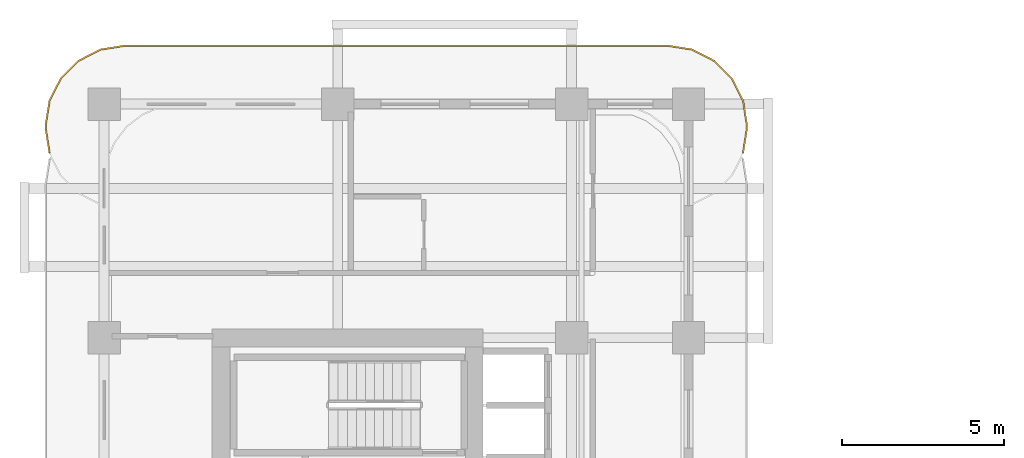
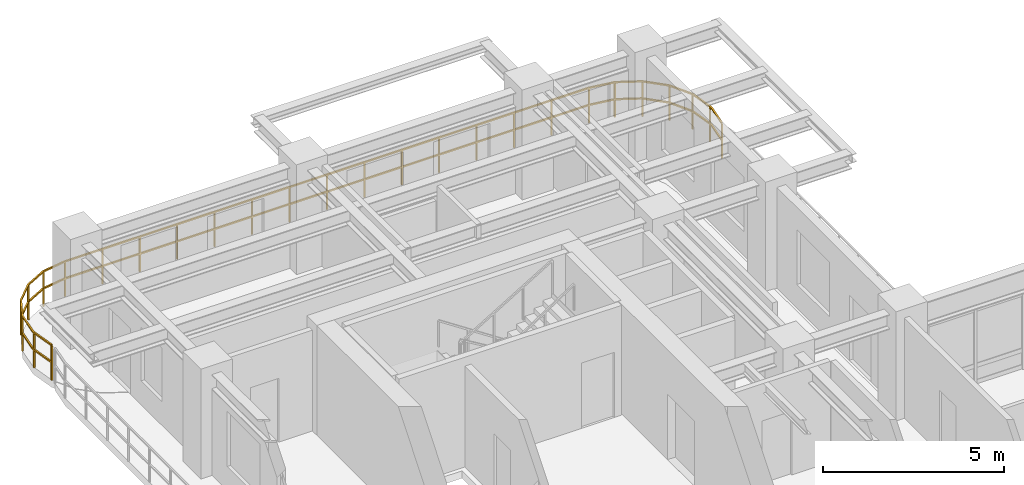
# One storey, part 21 of 21: 1 railing.
"""IFC4 building model written with IfcOpenShell, lengths in metres."""

from ifc_helpers import new_model, si_unit, derived_unit, direction, frame, origin, origin_2d, place, context, subcontext, project, spatial, rectangle, extrude, material, type_object, element, save


model = new_model("IFC4")

# Units and contexts
model_context = context("Model", 3, precision=1e-05, world=origin(), true_north=direction((0.0, 1.0)))
body_context = subcontext(model_context, "Body", "Model", "MODEL_VIEW")
ifc_project = project(units=[si_unit("LENGTHUNIT", "METRE"), si_unit("AREAUNIT", "SQUARE_METRE"), si_unit("VOLUMEUNIT", "CUBIC_METRE"), si_unit("PLANEANGLEUNIT", "RADIAN"), si_unit("MASSUNIT", "GRAM", prefix="KILO"), si_unit("THERMODYNAMICTEMPERATUREUNIT", "KELVIN"), si_unit("POWERUNIT", "WATT"), derived_unit("THERMALTRANSMITTANCEUNIT", [(si_unit("POWERUNIT", "WATT"), 1), (si_unit("AREAUNIT", "SQUARE_METRE"), -1), (si_unit("THERMODYNAMICTEMPERATUREUNIT", "KELVIN"), -1)])], contexts=[model_context])

# Site, building, storey
site_placement = place(None, origin())
site = spatial("IfcSite", under=ifc_project, at=site_placement, CompositionType="ELEMENT")
building_placement = place(site_placement, origin())
building = spatial("IfcBuilding", under=site, at=building_placement, Name="Zahravan Archway Hotel and Residences", CompositionType="ELEMENT")
storey_placement = place(building_placement, frame((0.0, 0.0, 141.39990234375)))
storey = spatial("IfcBuildingStorey", under=building, at=storey_placement, Name="L35", CompositionType="ELEMENT", Elevation=141.39990234375)

# Railing
ifc_material = material(Name="Bronze & Laminated Glass Balustrade", Category="glass")
railing_type = type_object("IfcRailingType", Name="RL-BAL-1200", PredefinedType="BALUSTRADE", material=ifc_material)
railing_placement = place(storey_placement, frame((-1.68017578125, 45.29296875, 0.0)))
element("IfcRailing", 1, at=railing_placement, inside=storey, type_object=railing_type, Name="L35 Balustrade RL-SLB-BAL-L35-NB-1", PredefinedType="BALUSTRADE", context=body_context, shape_type="SweptSolid", body=[
    extrude(rectangle(XDim=0.048095703125, YDim=0.048095703125, at=origin_2d()), frame((0.0, 0.0, 1.17578125), z_axis=(-0.156387811283, 0.987695728695, 0.0), x_axis=(-0.987695728695, -0.156387811283, 0.0)), (0.0, 0.0, 1.0), 0.7666015625),
    extrude(rectangle(XDim=0.048095703125, YDim=0.048095703125, at=origin_2d()), frame((0.0, 0.0, 0.60009765625), z_axis=(-0.156387811283, 0.987695728695, 0.0), x_axis=(-0.987695728695, -0.156387811283, 0.0)), (0.0, 0.0, 1.0), 0.7666015625),
    extrude(rectangle(XDim=0.048095703125, YDim=0.048095703125, at=origin_2d()), frame((-0.119873046875, 0.757080078125, 1.17578125), z_axis=(0.0, 1.0, 0.0), x_axis=(-1.0, 0.0, 0.0)), (0.0, 0.0, 1.0), 0.099853515625),
    extrude(rectangle(XDim=0.048095703125, YDim=0.048095703125, at=origin_2d()), frame((-0.119873046875, 0.757080078125, 0.60009765625), z_axis=(0.0, 1.0, 0.0), x_axis=(-1.0, 0.0, 0.0)), (0.0, 0.0, 1.0), 0.099853515625),
    extrude(rectangle(XDim=0.048095703125, YDim=0.048095703125, at=origin_2d()), frame((-0.119873046875, 0.85693359375, 1.17578125), z_axis=(0.156387811283, 0.987695728695, 0.0), x_axis=(-0.987695728695, 0.156387811283, 0.0)), (0.0, 0.0, 1.0), 0.7666015625),
    extrude(rectangle(XDim=0.048095703125, YDim=0.048095703125, at=origin_2d()), frame((-0.119873046875, 0.85693359375, 0.60009765625), z_axis=(0.156387811283, 0.987695728695, 0.0), x_axis=(-0.987695728695, 0.156387811283, 0.0)), (0.0, 0.0, 1.0), 0.7666015625),
    extrude(rectangle(XDim=0.048095703125, YDim=0.048095703125, at=origin_2d()), frame((0.0, 1.614013671875, 1.17578125), z_axis=(0.454078418624, 0.890961721815, 0.0), x_axis=(-0.890961721815, 0.454078418624, 0.0)), (0.0, 0.0, 1.0), 0.7666015625),
    extrude(rectangle(XDim=0.048095703125, YDim=0.048095703125, at=origin_2d()), frame((0.0, 1.614013671875, 0.60009765625), z_axis=(0.454078418624, 0.890961721815, 0.0), x_axis=(-0.890961721815, 0.454078418624, 0.0)), (0.0, 0.0, 1.0), 0.7666015625),
    extrude(rectangle(XDim=0.048095703125, YDim=0.048095703125, at=origin_2d()), frame((0.34814453125, 2.297119140625, 1.17578125), z_axis=(0.707106781187, 0.707106781187, 0.0), x_axis=(-0.707106781187, 0.707106781187, 0.0)), (0.0, 0.0, 1.0), 0.7666015625),
    extrude(rectangle(XDim=0.048095703125, YDim=0.048095703125, at=origin_2d()), frame((0.34814453125, 2.297119140625, 0.60009765625), z_axis=(0.707106781187, 0.707106781187, 0.0), x_axis=(-0.707106781187, 0.707106781187, 0.0)), (0.0, 0.0, 1.0), 0.7666015625),
    extrude(rectangle(XDim=0.048095703125, YDim=0.048095703125, at=origin_2d()), frame((0.89013671875, 2.839111328125, 1.17578125), z_axis=(0.891024909783, 0.453954414172, 0.0), x_axis=(-0.453954414172, 0.891024909783, 0.0)), (0.0, 0.0, 1.0), 0.766357421875),
    extrude(rectangle(XDim=0.048095703125, YDim=0.048095703125, at=origin_2d()), frame((0.89013671875, 2.839111328125, 0.60009765625), z_axis=(0.891024909783, 0.453954414172, 0.0), x_axis=(-0.453954414172, 0.891024909783, 0.0)), (0.0, 0.0, 1.0), 0.766357421875),
    extrude(rectangle(XDim=0.048095703125, YDim=0.048095703125, at=origin_2d()), frame((1.572998046875, 3.18701171875, 1.17578125), z_axis=(0.987646484274, 0.156698507018, 0.0), x_axis=(-0.156698507018, 0.987646484274, 0.0)), (0.0, 0.0, 1.0), 0.7666015625),
    extrude(rectangle(XDim=0.048095703125, YDim=0.048095703125, at=origin_2d()), frame((1.572998046875, 3.18701171875, 0.60009765625), z_axis=(0.987646484274, 0.156698507018, 0.0), x_axis=(-0.156698507018, 0.987646484274, 0.0)), (0.0, 0.0, 1.0), 0.7666015625),
    extrude(rectangle(XDim=0.048095703125, YDim=0.048095703125, at=origin_2d()), frame((2.330078125, 3.30712890625, 1.17578125), z_axis=(1.0, 0.0, 0.0), x_axis=(0.0, 1.0, 0.0)), (0.0, 0.0, 1.0), 16.7001953125),
    extrude(rectangle(XDim=0.048095703125, YDim=0.048095703125, at=origin_2d()), frame((2.330078125, 3.30712890625, 0.60009765625), z_axis=(1.0, 0.0, 0.0), x_axis=(0.0, 1.0, 0.0)), (0.0, 0.0, 1.0), 16.7001953125),
    extrude(rectangle(XDim=0.048095703125, YDim=0.048095703125, at=origin_2d()), frame((19.0302734375, 3.30712890625, 1.17578125), z_axis=(0.987646484274, -0.156698507018, 0.0), x_axis=(0.156698507018, 0.987646484274, 0.0)), (0.0, 0.0, 1.0), 0.7666015625),
    extrude(rectangle(XDim=0.048095703125, YDim=0.048095703125, at=origin_2d()), frame((19.0302734375, 3.30712890625, 0.60009765625), z_axis=(0.987646484274, -0.156698507018, 0.0), x_axis=(0.156698507018, 0.987646484274, 0.0)), (0.0, 0.0, 1.0), 0.7666015625),
    extrude(rectangle(XDim=0.048095703125, YDim=0.048095703125, at=origin_2d()), frame((19.787353515625, 3.18701171875, 1.17578125), z_axis=(0.891024909783, -0.453954414172, 0.0), x_axis=(0.453954414172, 0.891024909783, 0.0)), (0.0, 0.0, 1.0), 0.766357421875),
    extrude(rectangle(XDim=0.048095703125, YDim=0.048095703125, at=origin_2d()), frame((19.787353515625, 3.18701171875, 0.60009765625), z_axis=(0.891024909783, -0.453954414172, 0.0), x_axis=(0.453954414172, 0.891024909783, 0.0)), (0.0, 0.0, 1.0), 0.766357421875),
    extrude(rectangle(XDim=0.048095703125, YDim=0.048095703125, at=origin_2d()), frame((20.47021484375, 2.839111328125, 1.17578125), z_axis=(0.707106781187, -0.707106781187, 0.0), x_axis=(0.707106781187, 0.707106781187, 0.0)), (0.0, 0.0, 1.0), 0.7666015625),
    extrude(rectangle(XDim=0.048095703125, YDim=0.048095703125, at=origin_2d()), frame((20.47021484375, 2.839111328125, 0.60009765625), z_axis=(0.707106781187, -0.707106781187, 0.0), x_axis=(0.707106781187, 0.707106781187, 0.0)), (0.0, 0.0, 1.0), 0.7666015625),
    extrude(rectangle(XDim=0.048095703125, YDim=0.048095703125, at=origin_2d()), frame((21.01220703125, 2.297119140625, 1.17578125), z_axis=(0.454078418624, -0.890961721815, 0.0), x_axis=(0.890961721815, 0.454078418624, 0.0)), (0.0, 0.0, 1.0), 0.7666015625),
    extrude(rectangle(XDim=0.048095703125, YDim=0.048095703125, at=origin_2d()), frame((21.01220703125, 2.297119140625, 0.60009765625), z_axis=(0.454078418624, -0.890961721815, 0.0), x_axis=(0.890961721815, 0.454078418624, 0.0)), (0.0, 0.0, 1.0), 0.7666015625),
    extrude(rectangle(XDim=0.048095703125, YDim=0.048095703125, at=origin_2d()), frame((21.3603515625, 1.614013671875, 1.17578125), z_axis=(0.156387811283, -0.987695728695, 0.0), x_axis=(0.987695728695, 0.156387811283, 0.0)), (0.0, 0.0, 1.0), 0.7666015625),
    extrude(rectangle(XDim=0.048095703125, YDim=0.048095703125, at=origin_2d()), frame((21.3603515625, 1.614013671875, 0.60009765625), z_axis=(0.156387811283, -0.987695728695, 0.0), x_axis=(0.987695728695, 0.156387811283, 0.0)), (0.0, 0.0, 1.0), 0.7666015625),
    extrude(rectangle(XDim=0.048095703125, YDim=0.048095703125, at=origin_2d()), frame((21.480224609375, 0.85693359375, 1.17578125), z_axis=(0.0, -1.0, 0.0), x_axis=(1.0, 0.0, 0.0)), (0.0, 0.0, 1.0), 0.099853515625),
    extrude(rectangle(XDim=0.048095703125, YDim=0.048095703125, at=origin_2d()), frame((21.480224609375, 0.85693359375, 0.60009765625), z_axis=(0.0, -1.0, 0.0), x_axis=(1.0, 0.0, 0.0)), (0.0, 0.0, 1.0), 0.099853515625),
    extrude(rectangle(XDim=0.048095703125, YDim=0.048095703125, at=origin_2d()), frame((21.480224609375, 0.757080078125, 1.17578125), z_axis=(-0.156387811283, -0.987695728695, 0.0), x_axis=(0.987695728695, -0.156387811283, 0.0)), (0.0, 0.0, 1.0), 0.7666015625),
    extrude(rectangle(XDim=0.048095703125, YDim=0.048095703125, at=origin_2d()), frame((21.480224609375, 0.757080078125, 0.60009765625), z_axis=(-0.156387811283, -0.987695728695, 0.0), x_axis=(0.987695728695, -0.156387811283, 0.0)), (0.0, 0.0, 1.0), 0.7666015625),
    extrude(rectangle(XDim=0.0419921875, YDim=0.0419921875, at=origin_2d()), origin(), (0.0, 0.0, 1.0), 1.15185546875),
    extrude(rectangle(XDim=0.0419921875, YDim=0.0419921875, at=origin_2d()), frame((-0.119873046875, 0.757080078125, 0.0)), (0.0, 0.0, 1.0), 1.15185546875),
    extrude(rectangle(XDim=0.0419921875, YDim=0.0419921875, at=origin_2d()), frame((0.0, 1.614013671875, 0.0)), (0.0, 0.0, 1.0), 1.15185546875),
    extrude(rectangle(XDim=0.0419921875, YDim=0.0419921875, at=origin_2d()), frame((0.34814453125, 2.297119140625, 0.0)), (0.0, 0.0, 1.0), 1.15185546875),
    extrude(rectangle(XDim=0.0419921875, YDim=0.0419921875, at=origin_2d()), frame((0.89013671875, 2.839111328125, 0.0)), (0.0, 0.0, 1.0), 1.15185546875),
    extrude(rectangle(XDim=0.0419921875, YDim=0.0419921875, at=origin_2d()), frame((1.572998046875, 3.18701171875, 0.0)), (0.0, 0.0, 1.0), 1.15185546875),
    extrude(rectangle(XDim=0.0419921875, YDim=0.0419921875, at=origin_2d()), frame((2.330078125, 3.30712890625, 0.0)), (0.0, 0.0, 1.0), 1.15185546875),
    extrude(rectangle(XDim=0.0419921875, YDim=0.0419921875, at=origin_2d()), frame((3.52294921875, 3.30712890625, 0.0)), (0.0, 0.0, 1.0), 1.15185546875),
    extrude(rectangle(XDim=0.0419921875, YDim=0.0419921875, at=origin_2d()), frame((4.7158203125, 3.30712890625, 0.0)), (0.0, 0.0, 1.0), 1.15185546875),
    extrude(rectangle(XDim=0.0419921875, YDim=0.0419921875, at=origin_2d()), frame((5.90869140625, 3.30712890625, 0.0)), (0.0, 0.0, 1.0), 1.15185546875),
    extrude(rectangle(XDim=0.0419921875, YDim=0.0419921875, at=origin_2d()), frame((7.1015625, 3.30712890625, 0.0)), (0.0, 0.0, 1.0), 1.15185546875),
    extrude(rectangle(XDim=0.0419921875, YDim=0.0419921875, at=origin_2d()), frame((8.29443359375, 3.30712890625, 0.0)), (0.0, 0.0, 1.0), 1.15185546875),
    extrude(rectangle(XDim=0.0419921875, YDim=0.0419921875, at=origin_2d()), frame((9.4873046875, 3.30712890625, 0.0)), (0.0, 0.0, 1.0), 1.15185546875),
    extrude(rectangle(XDim=0.0419921875, YDim=0.0419921875, at=origin_2d()), frame((10.68017578125, 3.30712890625, 0.0)), (0.0, 0.0, 1.0), 1.15185546875),
    extrude(rectangle(XDim=0.0419921875, YDim=0.0419921875, at=origin_2d()), frame((11.873046875, 3.30712890625, 0.0)), (0.0, 0.0, 1.0), 1.15185546875),
    extrude(rectangle(XDim=0.0419921875, YDim=0.0419921875, at=origin_2d()), frame((13.06591796875, 3.30712890625, 0.0)), (0.0, 0.0, 1.0), 1.15185546875),
    extrude(rectangle(XDim=0.0419921875, YDim=0.0419921875, at=origin_2d()), frame((14.2587890625, 3.30712890625, 0.0)), (0.0, 0.0, 1.0), 1.15185546875),
    extrude(rectangle(XDim=0.0419921875, YDim=0.0419921875, at=origin_2d()), frame((15.45166015625, 3.30712890625, 0.0)), (0.0, 0.0, 1.0), 1.15185546875),
    extrude(rectangle(XDim=0.0419921875, YDim=0.0419921875, at=origin_2d()), frame((16.64453125, 3.30712890625, 0.0)), (0.0, 0.0, 1.0), 1.15185546875),
    extrude(rectangle(XDim=0.0419921875, YDim=0.0419921875, at=origin_2d()), frame((17.83740234375, 3.30712890625, 0.0)), (0.0, 0.0, 1.0), 1.15185546875),
    extrude(rectangle(XDim=0.0419921875, YDim=0.0419921875, at=origin_2d()), frame((19.0302734375, 3.30712890625, 0.0)), (0.0, 0.0, 1.0), 1.15185546875),
    extrude(rectangle(XDim=0.0419921875, YDim=0.0419921875, at=origin_2d()), frame((19.787353515625, 3.18701171875, 0.0)), (0.0, 0.0, 1.0), 1.15185546875),
    extrude(rectangle(XDim=0.0419921875, YDim=0.0419921875, at=origin_2d()), frame((20.47021484375, 2.839111328125, 0.0)), (0.0, 0.0, 1.0), 1.15185546875),
    extrude(rectangle(XDim=0.0419921875, YDim=0.0419921875, at=origin_2d()), frame((21.01220703125, 2.297119140625, 0.0)), (0.0, 0.0, 1.0), 1.15185546875),
    extrude(rectangle(XDim=0.0419921875, YDim=0.0419921875, at=origin_2d()), frame((21.3603515625, 1.614013671875, 0.0)), (0.0, 0.0, 1.0), 1.15185546875),
    extrude(rectangle(XDim=0.0419921875, YDim=0.0419921875, at=origin_2d()), frame((21.480224609375, 0.85693359375, 0.0)), (0.0, 0.0, 1.0), 1.15185546875),
    extrude(rectangle(XDim=0.0419921875, YDim=0.0419921875, at=origin_2d()), frame((21.3603515625, 0.0, 0.0)), (0.0, 0.0, 1.0), 1.15185546875),
])

save(model, "model.ifc")
